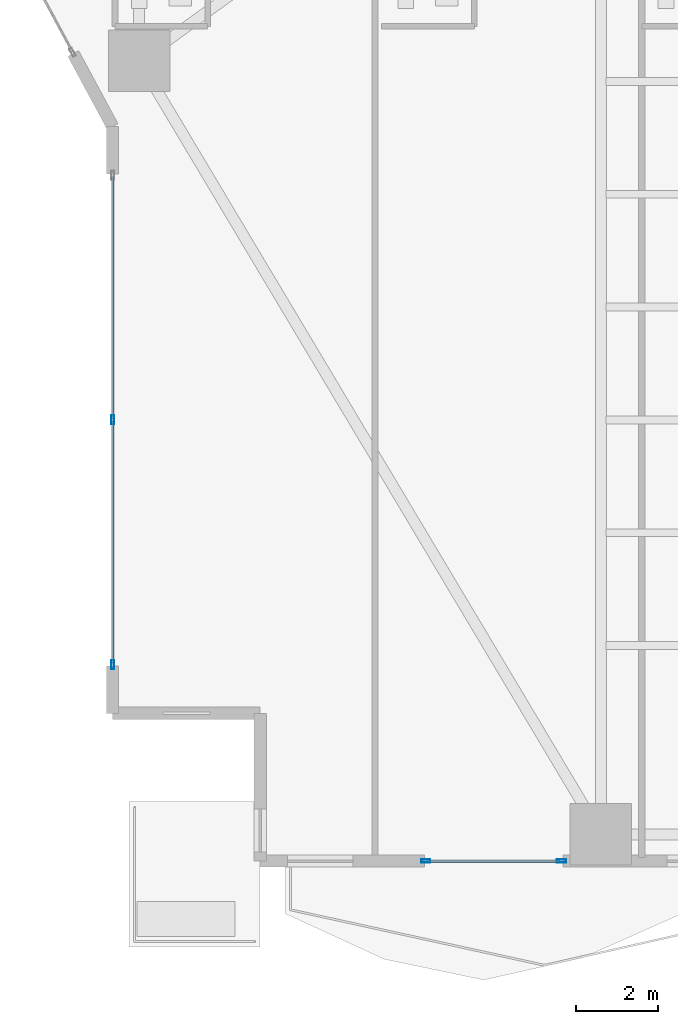
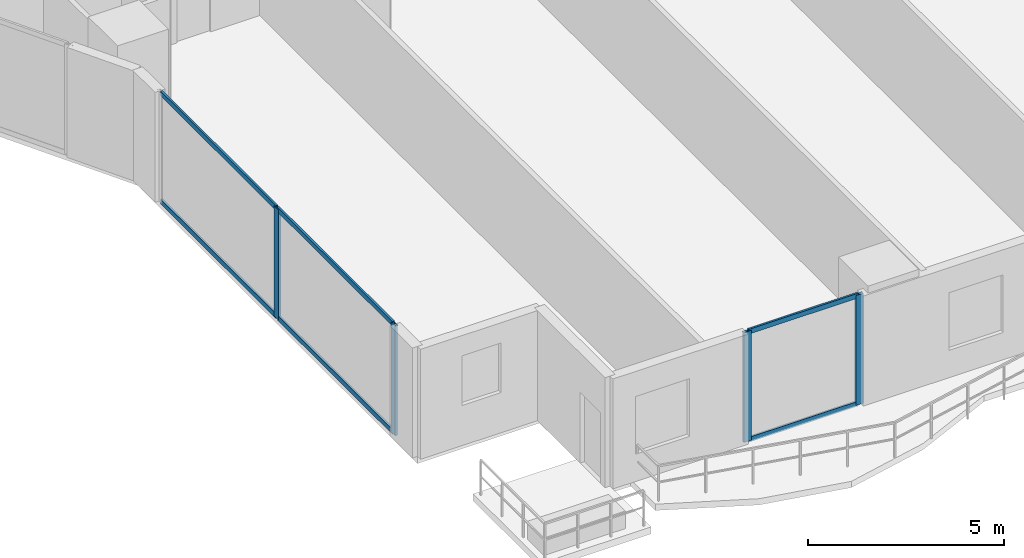
# One storey, part 2 of 28: 10 members, 2 elements without a shape of their own.
"""IFC4 building model written with IfcOpenShell, lengths in metres."""

from ifc_helpers import new_model, si_unit, direction, frame, origin, origin_2d, place, context, subcontext, project, spatial, hollow_rectangle, extrude, material, layer, layer_set, material_profile, profile_set, type_object, element, aggregate, save


model = new_model("IFC4")

# Units and contexts
model_context = context("Model", 3, precision=1e-05, world=origin(), true_north=direction((0.0, 1.0)))
body_context = subcontext(model_context, "Body", "Model", "MODEL_VIEW")
ifc_project = project(units=[si_unit("LENGTHUNIT", "METRE"), si_unit("AREAUNIT", "SQUARE_METRE"), si_unit("VOLUMEUNIT", "CUBIC_METRE"), si_unit("PLANEANGLEUNIT", "RADIAN"), si_unit("MASSUNIT", "GRAM", prefix="KILO")], contexts=[model_context])

# Site, building, storey
site_placement = place(None, origin())
site = spatial("IfcSite", under=ifc_project, at=site_placement, CompositionType="ELEMENT")
building_placement = place(site_placement, origin())
building = spatial("IfcBuilding", under=site, at=building_placement, Name="Zuhayl Quay Hotel", CompositionType="ELEMENT")
storey_placement = place(building_placement, frame((0.0, 0.0, 31.25)))
storey = spatial("IfcBuildingStorey", under=building, at=storey_placement, Name="L06", CompositionType="ELEMENT", Elevation=31.25)

# Curtain wall, members
ifc_material_1 = material(Name="Anodised Aluminium 6063-T6", Category="aluminium")
ifc_layer = layer(ifc_material_1, 0.18994140625, Name="Anodised Aluminium 6063-T6", Category="aluminium")
ifc_layer_set = layer_set([ifc_layer], Name="Anodised Aluminium 6063-T6")
curtain_wall_type = type_object("IfcCurtainWallType", Name="CW_SYS_Z1", PredefinedType="USERDEFINED", material=ifc_layer_set)
curtain_wall_1_placement = place(storey_placement, origin())
curtain_wall_1 = element("IfcCurtainWall", 1, at=curtain_wall_1_placement, inside=storey, type_object=curtain_wall_type, Name="L06 Curtain Wall ENV_L06_E02_CW1", ObjectType="UNITISED CURTAIN WALL", PredefinedType="USERDEFINED")
ifc_material_2 = material(Name="Black-anodised aluminium 6063-T6", Category="aluminium")
ifc_material_profile_1 = material_profile(ifc_material_2, hollow_rectangle(XDim=0.074951171875, YDim=0.219970703125, WallThickness=0.00390625, at=origin_2d()), Name="ALU220X75")
ifc_profile_set_1 = profile_set([ifc_material_profile_1], Name="Black-anodised aluminium 6063-T6")
member_type_1 = type_object("IfcMemberType", Name="MB_CW_MUL_220", PredefinedType="MULLION", material=ifc_profile_set_1)
member_1_placement = place(storey_placement, frame((-25.699951171875, -18.3125, 0.0), z_axis=(0.0, 0.0, 1.0), x_axis=(-1.0, 0.0, 0.0)))
member_1 = element("IfcMember", 2, at=member_1_placement, type_object=member_type_1, Name="CW-Z1 mullion 1", PredefinedType="MULLION", context=body_context, shape_type="SweptSolid", body=[
    extrude(hollow_rectangle(XDim=0.074951171875, YDim=0.219970703125, WallThickness=0.00390625, at=origin_2d()), origin(), (0.0, 0.0, 1.0), 3.429931640625),
])
member_2_placement = place(storey_placement, frame((-25.699951171875, -12.35009765625, 0.0), z_axis=(0.0, 0.0, 1.0), x_axis=(-1.0, 0.0, 0.0)))
member_2 = element("IfcMember", 3, at=member_2_placement, type_object=member_type_1, Name="CW-Z1 mullion 2", PredefinedType="MULLION", context=body_context, shape_type="SweptSolid", body=[
    extrude(hollow_rectangle(XDim=0.074951171875, YDim=0.219970703125, WallThickness=0.00390625, at=origin_2d()), origin(), (0.0, 0.0, 1.0), 3.429931640625),
])

curtain_wall_2_placement = place(storey_placement, origin())
curtain_wall_2 = element("IfcCurtainWall", 4, at=curtain_wall_2_placement, inside=storey, type_object=curtain_wall_type, Name="L06 Curtain Wall ENV_L06_S_CW5", ObjectType="UNITISED CURTAIN WALL", PredefinedType="USERDEFINED")
member_3_placement = place(storey_placement, frame((-14.757568359375, -23.10009765625, 0.0), z_axis=(0.0, 0.0, 1.0), x_axis=(0.0, -1.0, 0.0)))
member_3 = element("IfcMember", 5, at=member_3_placement, type_object=member_type_1, Name="CW-Z1 mullion 1", PredefinedType="MULLION", context=body_context, shape_type="SweptSolid", body=[
    extrude(hollow_rectangle(XDim=0.074951171875, YDim=0.219970703125, WallThickness=0.00390625, at=origin_2d()), origin(), (0.0, 0.0, 1.0), 3.429931640625),
])
member_4_placement = place(storey_placement, frame((-18.0625, -23.10009765625, 0.0), z_axis=(0.0, 0.0, 1.0), x_axis=(0.0, -1.0, 0.0)))
member_4 = element("IfcMember", 6, at=member_4_placement, type_object=member_type_1, Name="CW-Z1 mullion 2", PredefinedType="MULLION", context=body_context, shape_type="SweptSolid", body=[
    extrude(hollow_rectangle(XDim=0.074951171875, YDim=0.219970703125, WallThickness=0.00390625, at=origin_2d()), origin(), (0.0, 0.0, 1.0), 3.429931640625),
])

# Member
ifc_material_profile_2 = material_profile(ifc_material_2, hollow_rectangle(XDim=0.06005859375, YDim=0.14990234375, WallThickness=0.00341796875, at=origin_2d()), Name="ALU150X60")
ifc_profile_set_2 = profile_set([ifc_material_profile_2], Name="Black-anodised aluminium 6063-T6")
member_type_2 = type_object("IfcMemberType", Name="MB_CW_TRN_150", PredefinedType="USERDEFINED", material=ifc_profile_set_2)
member_5_placement = place(storey_placement, frame((-25.699951171875, -18.27490234375, 0.030029296875), z_axis=(0.0, 1.0, 0.0), x_axis=(-1.0, 0.0, 0.0)))
member_5 = element("IfcMember", 7, at=member_5_placement, type_object=member_type_2, Name="CW-Z1 transom 1.1", ObjectType="TRANSOM", PredefinedType="USERDEFINED", context=body_context, shape_type="SweptSolid", body=[
    extrude(hollow_rectangle(XDim=0.06005859375, YDim=0.14990234375, WallThickness=0.00341796875, at=origin_2d()), origin(), (0.0, 0.0, 1.0), 5.887451171875),
])

member_6_placement = place(storey_placement, frame((-25.699951171875, -18.27490234375, 3.39990234375), z_axis=(0.0, 1.0, 0.0), x_axis=(-1.0, 0.0, 0.0)))
member_6 = element("IfcMember", 8, at=member_6_placement, type_object=member_type_2, Name="CW-Z1 transom 1.2", ObjectType="TRANSOM", PredefinedType="USERDEFINED", context=body_context, shape_type="SweptSolid", body=[
    extrude(hollow_rectangle(XDim=0.06005859375, YDim=0.14990234375, WallThickness=0.00341796875, at=origin_2d()), origin(), (0.0, 0.0, 1.0), 5.887451171875),
])

member_7_placement = place(storey_placement, frame((-25.699951171875, -12.3125, 0.030029296875), z_axis=(0.0, 1.0, 0.0), x_axis=(-1.0, 0.0, 0.0)))
member_7 = element("IfcMember", 9, at=member_7_placement, type_object=member_type_2, Name="CW-Z1 transom 2.1", ObjectType="TRANSOM", PredefinedType="USERDEFINED", context=body_context, shape_type="SweptSolid", body=[
    extrude(hollow_rectangle(XDim=0.06005859375, YDim=0.14990234375, WallThickness=0.00341796875, at=origin_2d()), origin(), (0.0, 0.0, 1.0), 5.887451171875),
])

member_8_placement = place(storey_placement, frame((-25.699951171875, -12.3125, 3.39990234375), z_axis=(0.0, 1.0, 0.0), x_axis=(-1.0, 0.0, 0.0)))
member_8 = element("IfcMember", 10, at=member_8_placement, type_object=member_type_2, Name="CW-Z1 transom 2.2", ObjectType="TRANSOM", PredefinedType="USERDEFINED", context=body_context, shape_type="SweptSolid", body=[
    extrude(hollow_rectangle(XDim=0.06005859375, YDim=0.14990234375, WallThickness=0.00341796875, at=origin_2d()), origin(), (0.0, 0.0, 1.0), 5.887451171875),
])

aggregate(curtain_wall_1, [member_1, member_2, member_5, member_6, member_7, member_8])

member_9_placement = place(storey_placement, frame((-14.794921875, -23.10009765625, 0.030029296875), z_axis=(-1.0, 0.0, 0.0), x_axis=(0.0, -1.0, 0.0)))
member_9 = element("IfcMember", 11, at=member_9_placement, type_object=member_type_2, Name="CW-Z1 transom 1.1", ObjectType="TRANSOM", PredefinedType="USERDEFINED", context=body_context, shape_type="SweptSolid", body=[
    extrude(hollow_rectangle(XDim=0.06005859375, YDim=0.14990234375, WallThickness=0.00341796875, at=origin_2d()), origin(), (0.0, 0.0, 1.0), 3.22998046875),
])

member_10_placement = place(storey_placement, frame((-14.794921875, -23.10009765625, 3.39990234375), z_axis=(-1.0, 0.0, 0.0), x_axis=(0.0, -1.0, 0.0)))
member_10 = element("IfcMember", 12, at=member_10_placement, type_object=member_type_2, Name="CW-Z1 transom 1.2", ObjectType="TRANSOM", PredefinedType="USERDEFINED", context=body_context, shape_type="SweptSolid", body=[
    extrude(hollow_rectangle(XDim=0.06005859375, YDim=0.14990234375, WallThickness=0.00341796875, at=origin_2d()), origin(), (0.0, 0.0, 1.0), 3.22998046875),
])

aggregate(curtain_wall_2, [member_3, member_4, member_9, member_10])

save(model, "model.ifc")
